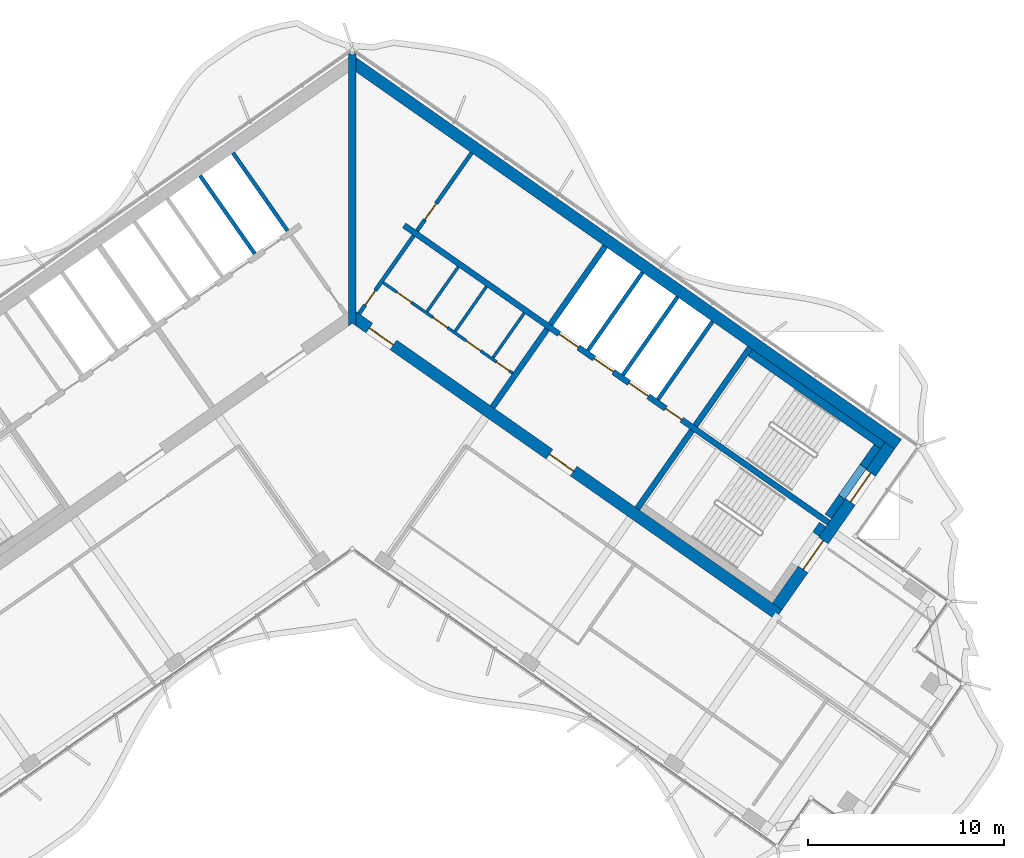
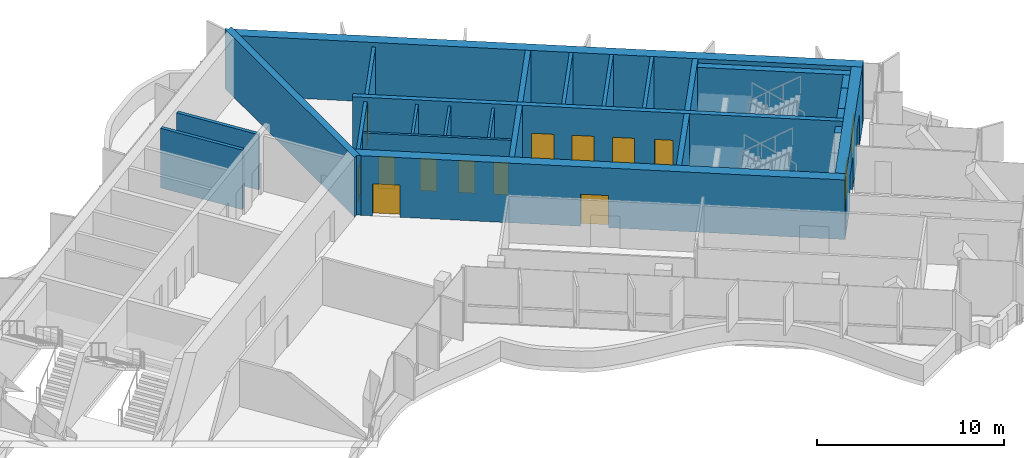
# One storey, part 11 of 18: 25 walls, 14 doors, 14 openings.
"""IFC4 building model written with IfcOpenShell, lengths in metres."""

import ifcopenshell
import ifcopenshell.guid

model = None  # the IFC model being written
_history = None  # IfcOwnerHistory: only IFC2X3 demands one
_inside = {}  # id of a spatial element -> (the spatial element, [elements in it])
_under = {}  # id of a project, library or spatial element -> (it, [spatial elements below it])
_declared = {}  # id of a project -> (the project, [libraries it declares])
_typed = {}  # id of a type object -> (the type object, [elements of that type])
_made_of = {}  # id of a material, layer set ... -> (it, [elements and type objects made of it])


def new_model(schema):
    """Start an empty IFC model of exactly this schema.

    Asked for "IFC4X3", IfcOpenShell would pick the latest addendum, in which some entities
    have other attributes; the version numbers below select the first issue.
    IFC2X3 requires an IfcOwnerHistory on every rooted entity: one is made here for all.
    """
    global model, _history
    if schema == "IFC4X3":
        model = ifcopenshell.file(schema_version=(4, 3, 0, 0))
    else:
        model = ifcopenshell.file(schema=schema)
    _inside.clear()
    _under.clear()
    _declared.clear()
    _typed.clear()
    _made_of.clear()
    _history = None
    if model.schema == "IFC2X3":
        org = make("IfcOrganization", Name="unknown")
        user = make(
            "IfcPersonAndOrganization",
            ThePerson=make("IfcPerson", FamilyName="unknown"),
            TheOrganization=org,
        )
        app = make(
            "IfcApplication",
            ApplicationDeveloper=org,
            Version="unknown",
            ApplicationFullName="unknown",
            ApplicationIdentifier="unknown",
        )
        _history = make(
            "IfcOwnerHistory",
            OwningUser=user,
            OwningApplication=app,
            ChangeAction="ADDED",
            CreationDate=0,
        )
    return model


def make(cls, **values):
    """One entity of the class cls with the attributes given. An attribute that is None is left unset."""
    return model.create_entity(
        cls, **{name: value for name, value in values.items() if value is not None}
    )


def rooted(cls, **values):
    """An entity with a GlobalId (a new one), such as an element, a storey or a relation."""
    return make(cls, GlobalId=ifcopenshell.guid.new(), OwnerHistory=_history, **values)


def si_unit(unit_type, name, prefix=None):
    """IfcSIUnit, for example si_unit("LENGTHUNIT", "METRE", prefix="MILLI")."""
    return make("IfcSIUnit", UnitType=unit_type, Prefix=prefix, Name=name)


def assignment(units):
    """IfcUnitAssignment: the units of a project."""
    return None if units is None else make("IfcUnitAssignment", Units=units)


def point(xyz):
    """IfcCartesianPoint."""
    return None if xyz is None else make("IfcCartesianPoint", Coordinates=xyz)


def direction(xyz):
    """IfcDirection."""
    return None if xyz is None else make("IfcDirection", DirectionRatios=xyz)


def frame(location, z_axis=None, x_axis=None):
    """IfcAxis2Placement3D, a coordinate frame: its origin and axes. An axis left out is left unset."""
    return make(
        "IfcAxis2Placement3D",
        Location=point(location),
        Axis=direction(z_axis),
        RefDirection=direction(x_axis),
    )


def frame_2d(location, x_axis=None):
    """IfcAxis2Placement2D, a coordinate frame in the plane: its origin and x axis."""
    return make(
        "IfcAxis2Placement2D", Location=point(location), RefDirection=direction(x_axis)
    )


def origin():
    """The frame at (0, 0, 0) with its axes left unset."""
    return frame((0.0, 0.0, 0.0))


def place(relative_to, where):
    """IfcLocalPlacement: puts the frame where relative to a parent placement (None: the world)."""
    return make(
        "IfcLocalPlacement", PlacementRelTo=relative_to, RelativePlacement=where
    )


def context(
    kind, dimensions, precision=None, world=None, true_north=None, identifier=None
):
    """IfcGeometricRepresentationContext, for example the 3D "Model" context."""
    return make(
        "IfcGeometricRepresentationContext",
        ContextIdentifier=identifier,
        ContextType=kind,
        CoordinateSpaceDimension=dimensions,
        Precision=precision,
        WorldCoordinateSystem=world,
        TrueNorth=true_north,
    )


def subcontext(parent, identifier, kind, view, scale=None):
    """IfcGeometricRepresentationSubContext, for example "Body" below "Model"."""
    return make(
        "IfcGeometricRepresentationSubContext",
        ContextIdentifier=identifier,
        ContextType=kind,
        ParentContext=parent,
        TargetScale=scale,
        TargetView=view,
    )


def project(units=None, contexts=None):
    """IfcProject with its units and contexts."""
    return rooted(
        "IfcProject",
        Name="project",
        RepresentationContexts=contexts,
        UnitsInContext=assignment(units),
    )


def spatial(cls, under=None, at=None, **own):
    """A site, building, storey or space (cls), placed at a placement, below another one or the project."""
    s = rooted(cls, ObjectPlacement=at, **own)
    if under is not None:
        _under.setdefault(under.id(), (under, []))[1].append(s)
    return s


def polyline(points):
    """IfcPolyline through the points."""
    return make("IfcPolyline", Points=[point(p) for p in points])


def profile(cls, at=None, kind="AREA", **sizes):
    """A parametric profile (cls). Its sizes go by their IFC names, for example OverallWidth=200.0."""
    return make(cls, ProfileType=kind, Position=at, **sizes)


def rectangle(**sizes):
    """IfcRectangleProfileDef."""
    return profile("IfcRectangleProfileDef", **sizes)


def outline(outer, holes=None, kind="AREA"):
    """IfcArbitraryClosedProfileDef: a profile drawn as a closed curve; with holes, ...WithVoids."""
    if holes is None:
        return make("IfcArbitraryClosedProfileDef", ProfileType=kind, OuterCurve=outer)
    return make(
        "IfcArbitraryProfileDefWithVoids",
        ProfileType=kind,
        OuterCurve=outer,
        InnerCurves=holes,
    )


def extrude(swept, where, along, depth):
    """IfcExtrudedAreaSolid: the profile swept, set in the frame where, extruded along a direction by depth."""
    return make(
        "IfcExtrudedAreaSolid",
        SweptArea=swept,
        Position=where,
        ExtrudedDirection=direction(along),
        Depth=depth,
    )


def shape(context_of_items, identifier, shape_type, items):
    """IfcShapeRepresentation: the items that make up one representation, for example the "Body"."""
    return make(
        "IfcShapeRepresentation",
        ContextOfItems=context_of_items,
        RepresentationIdentifier=identifier,
        RepresentationType=shape_type,
        Items=items,
    )


def material(Name=None, Category=None):
    """IfcMaterial."""
    return make("IfcMaterial", Name=Name, Category=Category)


def layer(
    of_material, thickness, ventilated=None, Name=None, Category=None, Priority=None
):
    """IfcMaterialLayer: one layer of a wall or slab, of a material (None: an air gap)."""
    return make(
        "IfcMaterialLayer",
        Material=of_material,
        LayerThickness=thickness,
        IsVentilated=ventilated,
        Name=Name,
        Category=Category,
        Priority=Priority,
    )


def layer_set(layers, Name=None):
    """IfcMaterialLayerSet."""
    return make("IfcMaterialLayerSet", MaterialLayers=layers, LayerSetName=Name)


def made_of(thing, what):
    """Note that an element or type object is made of a material, layer set ...; save() writes the relation."""
    if what is not None:
        _made_of.setdefault(what.id(), (what, []))[1].append(thing)
    return thing


def type_object(cls, material=None, **own):
    """A type object (cls), such as IfcWallType, which elements share."""
    return made_of(rooted(cls, **own), material)


def element(
    cls,
    number,
    at=None,
    inside=None,
    cuts=None,
    type_object=None,
    material=None,
    context=None,
    identifier="Body",
    shape_type=None,
    held_by="IfcProductDefinitionShape",
    body=None,
    shapes=None,
    **own,
):
    """One element of the class cls, such as IfcWall. Its Tag is "e" and its number.

    at: its placement. inside: the storey or other place that contains it. cuts: it is an
    opening in that element (IfcRelVoidsElement). A single representation is given by context,
    identifier, shape_type and body (its items); several are given by shapes. held_by: the class
    of the entity that holds the representations. save() writes the other relations.
    """
    e = rooted(cls, Tag="e%d" % number, ObjectPlacement=at, **own)
    if body is not None:
        shapes = [shape(context, identifier, shape_type, body)]
    if shapes is not None:
        e.Representation = make(held_by, Representations=shapes)
    if inside is not None:
        _inside.setdefault(inside.id(), (inside, []))[1].append(e)
    if cuts is not None:
        rooted(
            "IfcRelVoidsElement", RelatingBuildingElement=cuts, RelatedOpeningElement=e
        )
    if type_object is not None:
        _typed.setdefault(type_object.id(), (type_object, []))[1].append(e)
    return made_of(e, material)


def fill(opening, filler):
    """IfcRelFillsElement: the door or window that sits in an opening."""
    return rooted(
        "IfcRelFillsElement",
        RelatingOpeningElement=opening,
        RelatedBuildingElement=filler,
    )


def aggregate(whole, parts):
    """IfcRelAggregates: a whole, such as a stair, and the parts it consists of."""
    return rooted("IfcRelAggregates", RelatingObject=whole, RelatedObjects=parts)


def save(model, path):
    """Write the relations noted so far, then the file.

    IfcRelAggregates (storeys below a building ...), IfcRelContainedInSpatialStructure (elements
    in a storey), IfcRelDefinesByType, IfcRelAssociatesMaterial and IfcRelDeclares: one each for
    every whole, place, type object, material and project.
    """
    for whole, parts in _under.values():
        aggregate(whole, parts)
    for where, things in _inside.values():
        rooted(
            "IfcRelContainedInSpatialStructure",
            RelatedElements=things,
            RelatingStructure=where,
        )
    for kind, things in _typed.values():
        rooted("IfcRelDefinesByType", RelatedObjects=things, RelatingType=kind)
    for what, things in _made_of.values():
        rooted("IfcRelAssociatesMaterial", RelatedObjects=things, RelatingMaterial=what)
    for by, libraries in _declared.values():
        rooted("IfcRelDeclares", RelatingContext=by, RelatedDefinitions=libraries)
    model.write(path)


model = new_model("IFC4")

# Units and contexts
model_context = context("Model", 3, precision=1e-05, world=origin(), true_north=direction((0.0, 1.0)))
body_context = subcontext(model_context, "Body", "Model", "MODEL_VIEW")
ifc_project = project(units=[si_unit("LENGTHUNIT", "METRE"), si_unit("AREAUNIT", "SQUARE_METRE"), si_unit("VOLUMEUNIT", "CUBIC_METRE"), si_unit("PLANEANGLEUNIT", "RADIAN"), si_unit("MASSUNIT", "GRAM", prefix="KILO")], contexts=[model_context])

# Site, building, storey
site_placement = place(None, origin())
site = spatial("IfcSite", under=ifc_project, at=site_placement, CompositionType="ELEMENT")
building_placement = place(site_placement, origin())
building = spatial("IfcBuilding", under=site, at=building_placement, Name="Tel Ilan Convention Tower", CompositionType="ELEMENT")
storey_placement = place(building_placement, frame((0.0, 0.0, 268.300048828125)))
storey = spatial("IfcBuildingStorey", under=building, at=storey_placement, Name="L63", CompositionType="ELEMENT", Elevation=268.300048828125)

# Wall, openings, doors
ifc_material_1 = material(Name="Gypsum Plasterboard on Steel Stud", Category="steel")
ifc_layer_1 = layer(ifc_material_1, 0.14990234375)
ifc_layer_set_1 = layer_set([ifc_layer_1], Name="Core Room Partition Wall 150 mm EI 60")
wall_type_1 = type_object("IfcWallType", Name="Core Room Partition Wall 150 mm EI 60", PredefinedType="PARTITIONING", material=ifc_layer_set_1)
wall_1_placement = place(storey_placement, frame((1.572998046875, 0.851806640625, 0.0), z_axis=(0.0, 0.0, 1.0), x_axis=(0.819160673808, -0.573564111924, 0.0)))
wall_1 = element("IfcWall", 1, at=wall_1_placement, inside=storey, type_object=wall_type_1, Name="L63 core wall wc-h1", PredefinedType="PARTITIONING", context=body_context, shape_type="SweptSolid", body=[
    extrude(rectangle(XDim=8.050048828125, YDim=0.14990234375, at=frame_2d((4.02490234375, 0.0))), origin(), (0.0, 0.0, 1.0), 3.619873046875),
])
opening_1_placement = place(wall_1_placement, frame((0.85009765625, 0.0, 0.0)))
opening_1 = element("IfcOpeningElement", 2, at=opening_1_placement, cuts=wall_1, Name="Opening CD4814", PredefinedType="OPENING", context=body_context, shape_type="SweptSolid", body=[
    extrude(rectangle(XDim=0.89990234375, YDim=2.10009765625, at=frame_2d((0.449951171875, 1.050048828125))), frame((0.0, 0.0849609375, 0.0), z_axis=(0.0, -1.0, 0.0), x_axis=(1.0, 0.0, 0.0)), (0.0, 0.0, 1.0), 0.169921875),
])
opening_2_placement = place(wall_1_placement, frame((3.10009765625, 0.0, 0.0)))
opening_2 = element("IfcOpeningElement", 3, at=opening_2_placement, cuts=wall_1, Name="Opening CD4811", PredefinedType="OPENING", context=body_context, shape_type="SweptSolid", body=[
    extrude(rectangle(XDim=0.89990234375, YDim=2.10009765625, at=frame_2d((0.449951171875, 1.050048828125))), frame((0.0, 0.0849609375, 0.0), z_axis=(0.0, -1.0, 0.0), x_axis=(1.0, 0.0, 0.0)), (0.0, 0.0, 1.0), 0.169921875),
])
opening_3_placement = place(wall_1_placement, frame((5.14990234375, 0.0, 0.0)))
opening_3 = element("IfcOpeningElement", 4, at=opening_3_placement, cuts=wall_1, Name="Opening CD4813", PredefinedType="OPENING", context=body_context, shape_type="SweptSolid", body=[
    extrude(rectangle(XDim=0.89990234375, YDim=2.10009765625, at=frame_2d((0.449951171875, 1.050048828125))), frame((0.0, 0.0849609375, 0.0), z_axis=(0.0, -1.0, 0.0), x_axis=(1.0, 0.0, 0.0)), (0.0, 0.0, 1.0), 0.169921875),
])
opening_4_placement = place(wall_1_placement, frame((7.050048828125, 0.0, 0.0)))
opening_4 = element("IfcOpeningElement", 5, at=opening_4_placement, cuts=wall_1, Name="Opening CD4812", PredefinedType="OPENING", context=body_context, shape_type="SweptSolid", body=[
    extrude(rectangle(XDim=0.800048828125, YDim=2.10009765625, at=frame_2d((0.39990234375, 1.050048828125))), frame((0.0, 0.0849609375, 0.0), z_axis=(0.0, -1.0, 0.0), x_axis=(1.0, 0.0, 0.0)), (0.0, 0.0, 1.0), 0.169921875),
])
ifc_material_2 = material(Name="Galvanised Steel Door Leaf", Category="steel")
door_type_1 = type_object("IfcDoorType", Name="Store Door 800 x 2100 FD60", OperationType="NOTDEFINED", PredefinedType="DOOR", material=ifc_material_2)
door_1_placement = place(opening_4_placement, origin())
door_1 = element("IfcDoor", 6, at=door_1_placement, inside=storey, type_object=door_type_1, Name="Cleaner's store door", OperationType="SINGLE_SWING_RIGHT", OverallHeight=2.10009765625, OverallWidth=0.800048828125, PredefinedType="DOOR", context=body_context, shape_type="SweptSolid", body=[
    extrude(rectangle(XDim=0.800048828125, YDim=2.10009765625, at=frame_2d((0.39990234375, 1.050048828125))), frame((0.0, 0.02490234375, 0.0), z_axis=(0.0, -1.0, 0.0), x_axis=(1.0, 0.0, 0.0)), (0.0, 0.0, 1.0), 0.050048828125),
])
fill(opening_4, door_1)
ifc_material_3 = material(Name="Laminated Timber Door Leaf", Category="wood")
door_type_2 = type_object("IfcDoorType", Name="Toilet Door 900 x 2100 FD30S", OperationType="NOTDEFINED", PredefinedType="DOOR", material=ifc_material_3)
door_2_placement = place(opening_1_placement, origin())
door_2 = element("IfcDoor", 7, at=door_2_placement, inside=storey, type_object=door_type_2, Name="Women's WC door", OperationType="SINGLE_SWING_RIGHT", OverallHeight=2.10009765625, OverallWidth=0.89990234375, PredefinedType="DOOR", context=body_context, shape_type="SweptSolid", body=[
    extrude(rectangle(XDim=0.89990234375, YDim=2.10009765625, at=frame_2d((0.449951171875, 1.050048828125))), frame((0.0, 0.02490234375, 0.0), z_axis=(0.0, -1.0, 0.0), x_axis=(1.0, 0.0, 0.0)), (0.0, 0.0, 1.0), 0.050048828125),
])
fill(opening_1, door_2)
door_3_placement = place(opening_2_placement, origin())
door_3 = element("IfcDoor", 8, at=door_3_placement, inside=storey, type_object=door_type_2, Name="Accessible WC door", OperationType="SINGLE_SWING_RIGHT", OverallHeight=2.10009765625, OverallWidth=0.89990234375, PredefinedType="DOOR", context=body_context, shape_type="SweptSolid", body=[
    extrude(rectangle(XDim=0.89990234375, YDim=2.10009765625, at=frame_2d((0.449951171875, 1.050048828125))), frame((0.0, 0.02490234375, 0.0), z_axis=(0.0, -1.0, 0.0), x_axis=(1.0, 0.0, 0.0)), (0.0, 0.0, 1.0), 0.050048828125),
])
fill(opening_2, door_3)
door_4_placement = place(opening_3_placement, origin())
door_4 = element("IfcDoor", 9, at=door_4_placement, inside=storey, type_object=door_type_2, Name="Men's WC door", OperationType="SINGLE_SWING_RIGHT", OverallHeight=2.10009765625, OverallWidth=0.89990234375, PredefinedType="DOOR", context=body_context, shape_type="SweptSolid", body=[
    extrude(rectangle(XDim=0.89990234375, YDim=2.10009765625, at=frame_2d((0.449951171875, 1.050048828125))), frame((0.0, 0.02490234375, 0.0), z_axis=(0.0, -1.0, 0.0), x_axis=(1.0, 0.0, 0.0)), (0.0, 0.0, 1.0), 0.050048828125),
])
fill(opening_3, door_4)

# Walls
wall_2_placement = place(storey_placement, frame((3.807373046875, -0.62109375, 0.0), z_axis=(0.0, 0.0, 1.0), x_axis=(0.573539102583, 0.819178184407, 0.0)))
element("IfcWall", 10, at=wall_2_placement, inside=storey, type_object=wall_type_1, Name="L63 core wall wc-v0", PredefinedType="PARTITIONING", context=body_context, shape_type="SweptSolid", body=[
    extrude(rectangle(XDim=2.77490234375, YDim=0.14990234375, at=frame_2d((1.387451171875, 0.0))), origin(), (0.0, 0.0, 1.0), 3.619873046875),
])
for number, where, z_axis, x_axis, name in (
    (11, (5.24072265625, -1.625, 0.0), (0.0, 0.0, 1.0), (0.573598137089, 0.81913684884, 0.0), "L63 core wall wc-v1"),
    (12, (7.165771484375, -2.972900390625, 0.0), (0.0, 0.0, 1.0), (0.573598137089, 0.81913684884, 0.0), "L63 core wall wc-v2"),
):
    element("IfcWall", number, at=place(storey_placement, frame(where, z_axis=z_axis, x_axis=x_axis)), inside=storey, type_object=wall_type_1, Name=name, PredefinedType="PARTITIONING", context=body_context, shape_type="SweptSolid", body=[
        extrude(rectangle(XDim=2.775146484375, YDim=0.14990234375, at=frame_2d((1.3876953125, 0.0))), origin(), (0.0, 0.0, 1.0), 3.619873046875),
    ])
ifc_material_4 = material(Name="Concrete C30/37", Category="concrete")
ifc_layer_2 = layer(ifc_material_4, 0.199951171875)
ifc_layer_set_2 = layer_set([ifc_layer_2], Name="Core Service Room Wall 200 mm C30/37")
wall_type_2 = type_object("IfcWallType", Name="Core Service Room Wall 200 mm C30/37", PredefinedType="SOLIDWALL", material=ifc_layer_set_2)
wall_3_placement = place(storey_placement, frame((-3.2978515625, 3.489501953125, 0.0), z_axis=(0.0, 0.0, 1.0), x_axis=(-0.573560315113, 0.819163332265, 0.0)))
element("IfcWall", 13, at=wall_3_placement, inside=storey, type_object=wall_type_2, Name="L63 core wall apex-W-b", PredefinedType="SOLIDWALL", context=body_context, shape_type="SweptSolid", body=[
    extrude(rectangle(XDim=4.849853515625, YDim=0.199951171875, at=frame_2d((2.4248046875, 0.0))), origin(), (0.0, 0.0, 1.0), 3.619873046875),
])

# Wall, opening, door
wall_4_placement = place(storey_placement, frame((0.343994140625, -0.729248046875, 0.0), z_axis=(0.0, 0.0, 1.0), x_axis=(0.573560315113, 0.819163332265, 0.0)))
wall_4 = element("IfcWall", 14, at=wall_4_placement, inside=storey, type_object=wall_type_2, Name="L63 core wall apex-E", PredefinedType="SOLIDWALL", context=body_context, shape_type="SweptSolid", body=[
    extrude(rectangle(XDim=4.849853515625, YDim=0.199951171875, at=frame_2d((2.4248046875, 0.0))), origin(), (0.0, 0.0, 1.0), 3.619873046875),
])
opening_5_placement = place(wall_4_placement, frame((0.550048828125, 0.0, 0.0)))
opening_5 = element("IfcOpeningElement", 15, at=opening_5_placement, cuts=wall_4, Name="Opening CD4801", PredefinedType="OPENING", context=body_context, shape_type="SweptSolid", body=[
    extrude(rectangle(XDim=0.89990234375, YDim=2.10009765625, at=frame_2d((0.449951171875, 1.050048828125))), frame((0.0, 0.10986328125, 0.0), z_axis=(0.0, -1.0, 0.0), x_axis=(1.0, 0.0, 0.0)), (0.0, 0.0, 1.0), 0.219970703125),
])
ifc_material_5 = material(Name="Galvanised Steel Door Leaf", Category="steel")
door_type_3 = type_object("IfcDoorType", Name="Service Room Door 900 x 2100 FD60", OperationType="NOTDEFINED", PredefinedType="DOOR", material=ifc_material_5)
door_5_placement = place(opening_5_placement, origin())
door_5 = element("IfcDoor", 16, at=door_5_placement, inside=storey, type_object=door_type_3, Name="Data Room door", OperationType="SINGLE_SWING_RIGHT", OverallHeight=2.10009765625, OverallWidth=0.89990234375, PredefinedType="DOOR", context=body_context, shape_type="SweptSolid", body=[
    extrude(rectangle(XDim=0.89990234375, YDim=2.10009765625, at=frame_2d((0.449951171875, 1.050048828125))), frame((0.0, 0.02490234375, 0.0), z_axis=(0.0, -1.0, 0.0), x_axis=(1.0, 0.0, 0.0)), (0.0, 0.0, 1.0), 0.050048828125),
])
fill(opening_5, door_5)

wall_5_placement = place(storey_placement, frame((3.2978515625, 3.489501953125, 0.0), z_axis=(0.0, 0.0, 1.0), x_axis=(0.573560315113, 0.819163332265, 0.0)))
wall_5 = element("IfcWall", 17, at=wall_5_placement, inside=storey, type_object=wall_type_2, Name="L63 core wall apex-E-b", PredefinedType="SOLIDWALL", context=body_context, shape_type="SweptSolid", body=[
    extrude(rectangle(XDim=4.849853515625, YDim=0.199951171875, at=frame_2d((2.4248046875, 0.0))), origin(), (0.0, 0.0, 1.0), 3.619873046875),
])
opening_6_placement = place(wall_5_placement, frame((0.699951171875, 0.0, 0.0)))
opening_6 = element("IfcOpeningElement", 18, at=opening_6_placement, cuts=wall_5, Name="Opening CD4803", PredefinedType="OPENING", context=body_context, shape_type="SweptSolid", body=[
    extrude(rectangle(XDim=1.0, YDim=2.10009765625, at=frame_2d((0.5, 1.050048828125))), frame((0.0, 0.10986328125, 0.0), z_axis=(0.0, -1.0, 0.0), x_axis=(1.0, 0.0, 0.0)), (0.0, 0.0, 1.0), 0.219970703125),
])
ifc_material_6 = material(Name="Galvanised Steel Door Leaf", Category="steel")
door_type_4 = type_object("IfcDoorType", Name="Service Room Door 1000 x 2100 FD60", OperationType="NOTDEFINED", PredefinedType="DOOR", material=ifc_material_6)
door_6_placement = place(opening_6_placement, origin())
door_6 = element("IfcDoor", 19, at=door_6_placement, inside=storey, type_object=door_type_4, Name="Plant Room door", OperationType="SINGLE_SWING_RIGHT", OverallHeight=2.10009765625, OverallWidth=1.0, PredefinedType="DOOR", context=body_context, shape_type="SweptSolid", body=[
    extrude(rectangle(XDim=1.0, YDim=2.10009765625, at=frame_2d((0.5, 1.050048828125))), frame((0.0, 0.02490234375, 0.0), z_axis=(0.0, -1.0, 0.0), x_axis=(1.0, 0.0, 0.0)), (0.0, 0.0, 1.0), 0.050048828125),
])
fill(opening_6, door_6)

# Walls
ifc_material_7 = material(Name="Concrete C40/50", Category="concrete")
ifc_layer_3 = layer(ifc_material_7, 0.300048828125)
ifc_layer_set_3 = layer_set([ifc_layer_3], Name="Core Shear Wall 300 mm C40/50")
wall_type_3 = type_object("IfcWallType", Name="Core Shear Wall 300 mm C40/50", PredefinedType="SHEAR", material=ifc_layer_set_3)
wall_6_placement = place(storey_placement, frame((7.142822265625, -5.48974609375, 0.0), z_axis=(0.0, 0.0, 1.0), x_axis=(0.573617744349, 0.819123118565, 0.0)))
element("IfcWall", 20, at=wall_6_placement, inside=storey, type_object=wall_type_3, Name="L63 core wall E-cross1-1", PredefinedType="SHEAR", context=body_context, shape_type="SweptSolid", body=[
    extrude(outline(polyline([(0.0, 0.14990234375), (0.0, -0.150146484375), (4.85009765625, -0.14990234375), (4.85009765625, 0.150146484375), (0.0, 0.14990234375)])), origin(), (0.0, 0.0, 1.0), 3.89990234375),
])
wall_7_placement = place(storey_placement, frame((10.096923828125, -1.271240234375, 0.0), z_axis=(0.0, 0.0, 1.0), x_axis=(0.573560315113, 0.819163332265, 0.0)))
element("IfcWall", 21, at=wall_7_placement, inside=storey, type_object=wall_type_3, Name="L63 core wall E-cross1-2", PredefinedType="SHEAR", context=body_context, shape_type="SweptSolid", body=[
    extrude(outline(polyline([(4.849853515625, -0.150146484375), (4.849853515625, 0.14990234375), (0.0, 0.150146484375), (0.0, -0.14990234375), (4.849853515625, -0.150146484375)])), origin(), (0.0, 0.0, 1.0), 3.89990234375),
])
wall_8_placement = place(storey_placement, frame((14.515380859375, -10.652099609375, 0.0), z_axis=(0.0, 0.0, 1.0), x_axis=(0.573560315113, 0.819163332265, 0.0)))
element("IfcWall", 22, at=wall_8_placement, inside=storey, type_object=wall_type_3, Name="L63 core wall E-cross2-1", PredefinedType="SHEAR", context=body_context, shape_type="SweptSolid", body=[
    extrude(outline(polyline([(0.0, 0.150146484375), (0.0, -0.14990234375), (4.85009765625, -0.14990234375), (4.85009765625, 0.14990234375), (0.0, 0.150146484375)])), origin(), (0.0, 0.0, 1.0), 3.89990234375),
])
wall_9_placement = place(storey_placement, frame((17.46923828125, -6.433349609375, 0.0), z_axis=(0.0, 0.0, 1.0), x_axis=(0.573594092424, 0.81913968109, 0.0)))
element("IfcWall", 23, at=wall_9_placement, inside=storey, type_object=wall_type_3, Name="L63 core wall E-cross2-2", PredefinedType="SHEAR", context=body_context, shape_type="SweptSolid", body=[
    extrude(outline(polyline([(4.849853515625, -0.14990234375), (4.849853515625, 0.150146484375), (0.0, 0.14990234375), (0.0, -0.14990234375), (4.849853515625, -0.14990234375)])), origin(), (0.0, 0.0, 1.0), 3.89990234375),
])

# Wall, openings, doors
wall_10_placement = place(storey_placement, frame((2.638427734375, 3.76806640625, 0.0), z_axis=(0.0, 0.0, 1.0), x_axis=(0.819155014212, -0.573572194837, 0.0)))
wall_10 = element("IfcWall", 24, at=wall_10_placement, inside=storey, type_object=wall_type_3, Name="L63 core wall E-spine", PredefinedType="SHEAR", context=body_context, shape_type="SweptSolid", body=[
    extrude(outline(polyline([(0.0, 0.150146484375), (0.0, -0.14990234375), (26.39990234375, -0.150146484375), (26.39990234375, 0.14990234375), (0.0, 0.150146484375)])), origin(), (0.0, 0.0, 1.0), 3.89990234375),
])
opening_7_placement = place(wall_10_placement, frame((9.637451171875, 0.0, 0.0)))
opening_7 = element("IfcOpeningElement", 25, at=opening_7_placement, cuts=wall_10, Name="Opening LD4801", PredefinedType="OPENING", context=body_context, shape_type="SweptSolid", body=[
    extrude(rectangle(XDim=1.199951171875, YDim=2.10009765625, at=frame_2d((0.60009765625, 1.050048828125))), frame((0.0, 0.159912109375, 0.0), z_axis=(0.0, -1.0, 0.0), x_axis=(1.0, 0.0, 0.0)), (0.0, 0.0, 1.0), 0.320068359375),
])
opening_8_placement = place(wall_10_placement, frame((11.8125, 0.0, 0.0)))
opening_8 = element("IfcOpeningElement", 26, at=opening_8_placement, cuts=wall_10, Name="Opening LD4802", PredefinedType="OPENING", context=body_context, shape_type="SweptSolid", body=[
    extrude(rectangle(XDim=1.199951171875, YDim=2.10009765625, at=frame_2d((0.60009765625, 1.050048828125))), frame((0.0, 0.159912109375, 0.0), z_axis=(0.0, -1.0, 0.0), x_axis=(1.0, 0.0, 0.0)), (0.0, 0.0, 1.0), 0.320068359375),
])
opening_9_placement = place(wall_10_placement, frame((13.987548828125, 0.0, 0.0)))
opening_9 = element("IfcOpeningElement", 27, at=opening_9_placement, cuts=wall_10, Name="Opening LD4803", PredefinedType="OPENING", context=body_context, shape_type="SweptSolid", body=[
    extrude(rectangle(XDim=1.199951171875, YDim=2.10009765625, at=frame_2d((0.60009765625, 1.050048828125))), frame((0.0, 0.159912109375, 0.0), z_axis=(0.0, -1.0, 0.0), x_axis=(1.0, 0.0, 0.0)), (0.0, 0.0, 1.0), 0.320068359375),
])
opening_10_placement = place(wall_10_placement, frame((16.262451171875, 0.0, 0.0)))
opening_10 = element("IfcOpeningElement", 28, at=opening_10_placement, cuts=wall_10, Name="Opening CD4808", PredefinedType="OPENING", context=body_context, shape_type="SweptSolid", body=[
    extrude(rectangle(XDim=1.0, YDim=2.10009765625, at=frame_2d((0.5, 1.050048828125))), frame((0.0, 0.159912109375, 0.0), z_axis=(0.0, -1.0, 0.0), x_axis=(1.0, 0.0, 0.0)), (0.0, 0.0, 1.0), 0.320068359375),
])
ifc_material_8 = material(Name="Stainless Steel Sliding Door Leaf", Category="steel")
door_type_5 = type_object("IfcDoorType", Name="Lift Landing Door 1200 x 2100 FD120", OperationType="NOTDEFINED", PredefinedType="DOOR", material=ifc_material_8)
door_7_placement = place(opening_7_placement, origin())
door_7 = element("IfcDoor", 29, at=door_7_placement, inside=storey, type_object=door_type_5, Name="Lift FL1 landing door", OperationType="SLIDING_TO_LEFT", OverallHeight=2.10009765625, OverallWidth=1.199951171875, PredefinedType="DOOR", context=body_context, shape_type="SweptSolid", body=[
    extrude(rectangle(XDim=1.199951171875, YDim=2.10009765625, at=frame_2d((0.60009765625, 1.050048828125))), frame((0.0, 0.02490234375, 0.0), z_axis=(0.0, -1.0, 0.0), x_axis=(1.0, 0.0, 0.0)), (0.0, 0.0, 1.0), 0.050048828125),
])
fill(opening_7, door_7)
door_8_placement = place(opening_8_placement, origin())
door_8 = element("IfcDoor", 30, at=door_8_placement, inside=storey, type_object=door_type_5, Name="Lift FL2 landing door", OperationType="SLIDING_TO_RIGHT", OverallHeight=2.10009765625, OverallWidth=1.199951171875, PredefinedType="DOOR", context=body_context, shape_type="SweptSolid", body=[
    extrude(rectangle(XDim=1.199951171875, YDim=2.10009765625, at=frame_2d((0.60009765625, 1.050048828125))), frame((0.0, 0.02490234375, 0.0), z_axis=(0.0, -1.0, 0.0), x_axis=(1.0, 0.0, 0.0)), (0.0, 0.0, 1.0), 0.050048828125),
])
fill(opening_8, door_8)
door_9_placement = place(opening_9_placement, origin())
door_9 = element("IfcDoor", 31, at=door_9_placement, inside=storey, type_object=door_type_5, Name="Lift FL3 landing door", OperationType="SLIDING_TO_LEFT", OverallHeight=2.10009765625, OverallWidth=1.199951171875, PredefinedType="DOOR", context=body_context, shape_type="SweptSolid", body=[
    extrude(rectangle(XDim=1.199951171875, YDim=2.10009765625, at=frame_2d((0.60009765625, 1.050048828125))), frame((0.0, 0.02490234375, 0.0), z_axis=(0.0, -1.0, 0.0), x_axis=(1.0, 0.0, 0.0)), (0.0, 0.0, 1.0), 0.050048828125),
])
fill(opening_9, door_9)
door_10_placement = place(opening_10_placement, origin())
door_10 = element("IfcDoor", 32, at=door_10_placement, inside=storey, type_object=door_type_4, Name="Plant Room door", OperationType="SINGLE_SWING_RIGHT", OverallHeight=2.10009765625, OverallWidth=1.0, PredefinedType="DOOR", context=body_context, shape_type="SweptSolid", body=[
    extrude(rectangle(XDim=1.0, YDim=2.10009765625, at=frame_2d((0.5, 1.050048828125))), frame((0.0, 0.02490234375, 0.0), z_axis=(0.0, -1.0, 0.0), x_axis=(1.0, 0.0, 0.0)), (0.0, 0.0, 1.0), 0.050048828125),
])
fill(opening_10, door_10)

# Walls
ifc_material_9 = material(Name="Concrete C40/50", Category="concrete")
ifc_layer_4 = layer(ifc_material_9, 0.39990234375)
ifc_layer_set_4 = layer_set([ifc_layer_4], Name="Core Shear Wall 400 mm C40/50")
wall_type_4 = type_object("IfcWallType", Name="Core Shear Wall 400 mm C40/50", PredefinedType="SHEAR", material=ifc_layer_set_4)
wall_11_placement = place(storey_placement, frame((0.0, -1.36083984375, 0.0), z_axis=(0.0, 0.0, 1.0), x_axis=(0.0, 1.0, 0.0)))
element("IfcWall", 33, at=wall_11_placement, inside=storey, type_object=wall_type_4, Name="L63 core wall K-central", PredefinedType="SHEAR", context=body_context, shape_type="SweptSolid", body=[
    extrude(outline(polyline([(0.14013671875, 0.199951171875), (0.0, 0.199951171875), (0.14013671875, 0.0), (0.0, -0.199951171875), (0.14013671875, -0.199951171875), (1.012451171875, -0.199951171875), (12.940185546875, -0.199951171875), (13.812744140625, -0.199951171875), (13.893310546875, -0.199951171875), (13.933349609375, -0.172119140625), (13.812744140625, 0.0), (13.933349609375, 0.172119140625), (13.893310546875, 0.199951171875), (13.812744140625, 0.199951171875), (12.940185546875, 0.199951171875), (1.012451171875, 0.199951171875), (0.14013671875, 0.199951171875)])), origin(), (0.0, 0.0, 1.0), 3.89990234375),
])
ifc_material_10 = material(Name="Concrete C40/50", Category="concrete")
ifc_layer_5 = layer(ifc_material_10, 0.60009765625)
ifc_layer_set_5 = layer_set([ifc_layer_5], Name="Core Shear Wall 600 mm C40/50")
wall_type_5 = type_object("IfcWallType", Name="Core Shear Wall 600 mm C40/50", PredefinedType="SHEAR", material=ifc_layer_set_5)
wall_12_placement = place(storey_placement, frame((0.02783203125, 12.066162109375, 0.0), z_axis=(0.0, 0.0, 1.0), x_axis=(0.819151382952, -0.573577380837, 0.0)))
element("IfcWall", 34, at=wall_12_placement, inside=storey, type_object=wall_type_5, Name="L63 core wall E-back", PredefinedType="SHEAR", context=body_context, shape_type="SweptSolid", body=[
    extrude(outline(polyline([(33.898193359375, 0.300048828125), (0.0, 0.300048828125), (0.420166015625, -0.300048828125), (33.89794921875, -0.300048828125), (33.898193359375, 0.300048828125)])), origin(), (0.0, 0.0, 1.0), 3.89990234375),
])

# Wall, openings, doors
wall_13_placement = place(storey_placement, frame((0.02783203125, -0.8740234375, 0.0), z_axis=(0.0, 0.0, 1.0), x_axis=(0.819150035022, -0.573579305871, 0.0)))
wall_13 = element("IfcWall", 35, at=wall_13_placement, inside=storey, type_object=wall_type_5, Name="L63 core wall E-front", PredefinedType="SHEAR", context=body_context, shape_type="SweptSolid", body=[
    extrude(outline(polyline([(26.475830078125, 0.300048828125), (0.000244140625, 0.300048828125), (0.420166015625, -0.300048828125), (26.475830078125, -0.2998046875), (26.475830078125, 0.300048828125)])), origin(), (0.0, 0.0, 1.0), 3.89990234375),
])
opening_11_placement = place(wall_13_placement, frame((1.02587890625, 0.0, 0.0)))
opening_11 = element("IfcOpeningElement", 36, at=opening_11_placement, cuts=wall_13, Name="Opening CD4804", PredefinedType="OPENING", context=body_context, shape_type="SweptSolid", body=[
    extrude(rectangle(XDim=1.5, YDim=2.10009765625, at=frame_2d((0.75, 1.050048828125))), frame((0.0, 0.31005859375, 0.0), z_axis=(0.0, -1.0, 0.0), x_axis=(1.0, 0.0, 0.0)), (0.0, 0.0, 1.0), 0.6201171875),
])
opening_12_placement = place(wall_13_placement, frame((12.225830078125, 0.0, 0.0)))
opening_12 = element("IfcOpeningElement", 37, at=opening_12_placement, cuts=wall_13, Name="Opening CD4805", PredefinedType="OPENING", context=body_context, shape_type="SweptSolid", body=[
    extrude(rectangle(XDim=1.5, YDim=2.10009765625, at=frame_2d((0.75, 1.050048828125))), frame((0.0, 0.31005859375, 0.0), z_axis=(0.0, -1.0, 0.0), x_axis=(1.0, 0.0, 0.0)), (0.0, 0.0, 1.0), 0.6201171875),
])
ifc_material_11 = material(Name="Glazed Aluminium Door Leaf", Category="aluminium")
door_type_6 = type_object("IfcDoorType", Name="Lobby Opening Door 1500 x 2100 FD60S", OperationType="NOTDEFINED", PredefinedType="DOOR", material=ifc_material_11)
door_11_placement = place(opening_12_placement, origin())
door_11 = element("IfcDoor", 38, at=door_11_placement, inside=storey, type_object=door_type_6, Name="Firefighting Lobby door", OperationType="DOUBLE_DOOR_SINGLE_SWING", OverallHeight=2.10009765625, OverallWidth=1.5, PredefinedType="DOOR", context=body_context, shape_type="SweptSolid", body=[
    extrude(rectangle(XDim=1.5, YDim=2.10009765625, at=frame_2d((0.75, 1.050048828125))), frame((0.0, 0.02490234375, 0.0), z_axis=(0.0, -1.0, 0.0), x_axis=(1.0, 0.0, 0.0)), (0.0, 0.0, 1.0), 0.050048828125),
])
fill(opening_12, door_11)
ifc_material_12 = material(Name="Laminated Timber Door Leaf", Category="wood")
door_type_7 = type_object("IfcDoorType", Name="Toilet Door 1500 x 2100 FD30S", OperationType="NOTDEFINED", PredefinedType="DOOR", material=ifc_material_12)
door_12_placement = place(opening_11_placement, origin())
door_12 = element("IfcDoor", 39, at=door_12_placement, inside=storey, type_object=door_type_7, Name="WC Lobby door", OperationType="SINGLE_SWING_RIGHT", OverallHeight=2.10009765625, OverallWidth=1.5, PredefinedType="DOOR", context=body_context, shape_type="SweptSolid", body=[
    extrude(rectangle(XDim=1.5, YDim=2.10009765625, at=frame_2d((0.75, 1.050048828125))), frame((0.0, 0.02490234375, 0.0), z_axis=(0.0, -1.0, 0.0), x_axis=(1.0, 0.0, 0.0)), (0.0, 0.0, 1.0), 0.050048828125),
])
fill(opening_11, door_12)

wall_14_placement = place(storey_placement, frame((21.641845703125, -15.64208984375, 0.0), z_axis=(0.0, 0.0, 1.0), x_axis=(0.573586866468, 0.819144740944, 0.0)))
wall_14 = element("IfcWall", 40, at=wall_14_placement, inside=storey, type_object=wall_type_5, Name="L63 core wall E-end", PredefinedType="SHEAR", context=body_context, shape_type="SweptSolid", body=[
    extrude(outline(polyline([(10.0, 0.300048828125), (0.0, 0.2998046875), (0.0, -0.300048828125), (10.0, -0.300048828125), (10.0, 0.300048828125)])), origin(), (0.0, 0.0, 1.0), 3.89990234375),
])
opening_13_placement = place(wall_14_placement, frame((6.5, 0.0, 0.0)))
opening_13 = element("IfcOpeningElement", 41, at=opening_13_placement, cuts=wall_14, Name="Opening SD4803", PredefinedType="OPENING", context=body_context, shape_type="SweptSolid", body=[
    extrude(rectangle(XDim=1.800048828125, YDim=2.10009765625, at=frame_2d((0.89990234375, 1.050048828125))), frame((0.0, 0.31005859375, 0.0), z_axis=(0.0, -1.0, 0.0), x_axis=(1.0, 0.0, 0.0)), (0.0, 0.0, 1.0), 0.6201171875),
])
opening_14_placement = place(wall_14_placement, frame((2.300048828125, 0.0, 0.0)))
opening_14 = element("IfcOpeningElement", 42, at=opening_14_placement, cuts=wall_14, Name="Opening SD4804", PredefinedType="OPENING", context=body_context, shape_type="SweptSolid", body=[
    extrude(rectangle(XDim=1.800048828125, YDim=2.10009765625, at=frame_2d((0.89990234375, 1.050048828125))), frame((0.0, 0.31005859375, 0.0), z_axis=(0.0, -1.0, 0.0), x_axis=(1.0, 0.0, 0.0)), (0.0, 0.0, 1.0), 0.6201171875),
])
ifc_material_13 = material(Name="Galvanised Steel Door Leaf", Category="steel")
door_type_8 = type_object("IfcDoorType", Name="Stair Fire Door 1800 x 2100 FD60S", OperationType="NOTDEFINED", PredefinedType="DOOR", material=ifc_material_13)
door_13_placement = place(opening_13_placement, origin())
door_13 = element("IfcDoor", 43, at=door_13_placement, inside=storey, type_object=door_type_8, Name="Stair S3 door", OperationType="DOUBLE_DOOR_SINGLE_SWING", OverallHeight=2.10009765625, OverallWidth=1.800048828125, PredefinedType="DOOR", context=body_context, shape_type="SweptSolid", body=[
    extrude(rectangle(XDim=1.800048828125, YDim=2.10009765625, at=frame_2d((0.89990234375, 1.050048828125))), frame((0.0, 0.02490234375, 0.0), z_axis=(0.0, -1.0, 0.0), x_axis=(1.0, 0.0, 0.0)), (0.0, 0.0, 1.0), 0.050048828125),
])
fill(opening_13, door_13)
door_14_placement = place(opening_14_placement, origin())
door_14 = element("IfcDoor", 44, at=door_14_placement, inside=storey, type_object=door_type_8, Name="Stair S4 door", OperationType="DOUBLE_DOOR_SINGLE_SWING", OverallHeight=2.10009765625, OverallWidth=1.800048828125, PredefinedType="DOOR", context=body_context, shape_type="SweptSolid", body=[
    extrude(rectangle(XDim=1.800048828125, YDim=2.10009765625, at=frame_2d((0.89990234375, 1.050048828125))), frame((0.0, 0.02490234375, 0.0), z_axis=(0.0, -1.0, 0.0), x_axis=(1.0, 0.0, 0.0)), (0.0, 0.0, 1.0), 0.050048828125),
])
fill(opening_14, door_14)

# Walls
ifc_material_14 = material(Name="Concrete C30/37", Category="concrete")
ifc_layer_6 = layer(ifc_material_14, 0.199951171875)
ifc_layer_set_6 = layer_set([ifc_layer_6], Name="Lift Shaft Wall 200 mm C30/37")
wall_type_6 = type_object("IfcWallType", Name="Lift Shaft Wall 200 mm C30/37", PredefinedType="SOLIDWALL", material=ifc_layer_set_6)
wall_15_placement = place(storey_placement, frame((-4.966796875, 2.32080078125, 0.0), z_axis=(0.0, 0.0, 1.0), x_axis=(-0.573594092424, 0.81913968109, 0.0)))
element("IfcWall", 45, at=wall_15_placement, inside=storey, type_object=wall_type_6, Name="L63 core wall bank-W1-p0", PredefinedType="SOLIDWALL", context=body_context, shape_type="SweptSolid", body=[
    extrude(rectangle(XDim=4.85009765625, YDim=0.199951171875, at=frame_2d((2.425048828125, 0.0))), origin(), (0.0, 0.0, 1.0), 3.89990234375),
])
wall_16_placement = place(storey_placement, frame((12.00146484375, -2.604736328125, 0.0), z_axis=(0.0, 0.0, 1.0), x_axis=(0.573560315113, 0.819163332265, 0.0)))
element("IfcWall", 46, at=wall_16_placement, inside=storey, type_object=wall_type_6, Name="L63 core wall bank-E2-p0", PredefinedType="SOLIDWALL", context=body_context, shape_type="SweptSolid", body=[
    extrude(rectangle(XDim=4.849853515625, YDim=0.199951171875, at=frame_2d((2.4248046875, 0.0))), origin(), (0.0, 0.0, 1.0), 3.89990234375),
])
wall_17_placement = place(storey_placement, frame((13.782958984375, -3.852294921875, 0.0), z_axis=(0.0, 0.0, 1.0), x_axis=(0.573594092424, 0.81913968109, 0.0)))
element("IfcWall", 47, at=wall_17_placement, inside=storey, type_object=wall_type_6, Name="L63 core wall bank-E2-p1", PredefinedType="SOLIDWALL", context=body_context, shape_type="SweptSolid", body=[
    extrude(rectangle(XDim=4.85009765625, YDim=0.199951171875, at=frame_2d((2.425048828125, 0.0))), origin(), (0.0, 0.0, 1.0), 3.89990234375),
])
wall_18_placement = place(storey_placement, frame((15.564697265625, -5.099853515625, 0.0), z_axis=(0.0, 0.0, 1.0), x_axis=(0.573560315113, 0.819163332265, 0.0)))
element("IfcWall", 48, at=wall_18_placement, inside=storey, type_object=wall_type_6, Name="L63 core wall bank-E2-p2", PredefinedType="SOLIDWALL", context=body_context, shape_type="SweptSolid", body=[
    extrude(rectangle(XDim=4.849853515625, YDim=0.199951171875, at=frame_2d((2.4248046875, 0.0))), origin(), (0.0, 0.0, 1.0), 3.89990234375),
])
ifc_material_15 = material(Name="Concrete C30/37", Category="concrete")
ifc_layer_7 = layer(ifc_material_15, 0.39990234375)
ifc_layer_set_7 = layer_set([ifc_layer_7], Name="Stair and Shaft Lining Wall 400 mm C30/37")
wall_type_7 = type_object("IfcWallType", Name="Stair and Shaft Lining Wall 400 mm C30/37", PredefinedType="SOLIDWALL", material=ifc_layer_set_7)
wall_19_placement = place(storey_placement, frame((20.25927734375, -2.71044921875, 0.0), z_axis=(0.0, 0.0, 1.0), x_axis=(0.81914849389, -0.573581506813, 0.0)))
element("IfcWall", 49, at=wall_19_placement, inside=storey, type_object=wall_type_7, Name="L63 core wall lining-S3-t1", PredefinedType="SOLIDWALL", context=body_context, shape_type="SweptSolid", body=[
    extrude(rectangle(XDim=8.249755859375, YDim=0.39990234375, at=frame_2d((4.125, 0.0))), origin(), (0.0, 0.0, 1.0), 3.619873046875),
])
wall_20_placement = place(storey_placement, frame((24.24365234375, -11.0546875, 0.0), z_axis=(0.0, 0.0, 1.0), x_axis=(0.573571582932, 0.819155442668, 0.0)))
element("IfcWall", 50, at=wall_20_placement, inside=storey, type_object=wall_type_7, Name="L63 core wall lining-S3-u1-0", PredefinedType="SOLIDWALL", context=body_context, shape_type="SweptSolid", body=[
    extrude(rectangle(XDim=1.199951171875, YDim=0.39990234375, at=frame_2d((0.60009765625, 0.0))), origin(), (0.0, 0.0, 1.0), 3.619873046875),
])
wall_21_placement = place(storey_placement, frame((26.021728515625, -8.515380859375, 0.0), z_axis=(0.0, 0.0, 1.0), x_axis=(0.573619628835, 0.819121798889, 0.0)))
element("IfcWall", 51, at=wall_21_placement, inside=storey, type_object=wall_type_7, Name="L63 core wall lining-S3-u1-1", PredefinedType="SOLIDWALL", context=body_context, shape_type="SweptSolid", body=[
    extrude(rectangle(XDim=1.25, YDim=0.39990234375, at=frame_2d((0.625, 0.0))), origin(), (0.0, 0.0, 1.0), 3.619873046875),
])
wall_22_placement = place(storey_placement, frame((24.931884765625, -10.07177734375, 2.14990234375), z_axis=(0.0, 0.0, 1.0), x_axis=(0.573591692345, 0.819141361715, 0.0)))
element("IfcWall", 52, at=wall_22_placement, inside=storey, type_object=wall_type_7, Name="L63 core wall lining-S3-u1-lintel", PredefinedType="SOLIDWALL", context=body_context, shape_type="SweptSolid", body=[
    extrude(rectangle(XDim=1.900146484375, YDim=0.39990234375, at=frame_2d((0.9501953125, 0.0))), origin(), (0.0, 0.0, 1.0), 1.469970703125),
])
wall_23_placement = place(storey_placement, frame((23.61279296875, -11.955810546875, 0.0), z_axis=(0.0, 0.0, 1.0), x_axis=(0.573435029941, 0.819251039936, 0.0)))
element("IfcWall", 53, at=wall_23_placement, inside=storey, type_object=wall_type_7, Name="L63 core wall lining-S4-u1-1", PredefinedType="SOLIDWALL", context=body_context, shape_type="SweptSolid", body=[
    extrude(rectangle(XDim=0.599853515625, YDim=0.39990234375, at=frame_2d((0.2998046875, 0.0))), origin(), (0.0, 0.0, 1.0), 3.619873046875),
])

save(model, "model.ifc")
